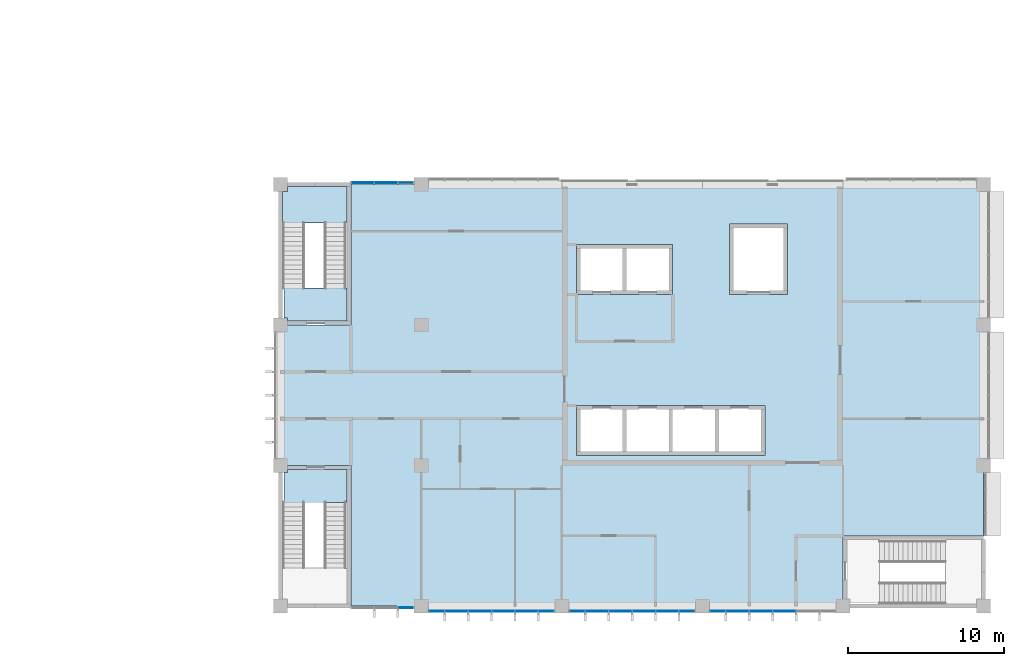
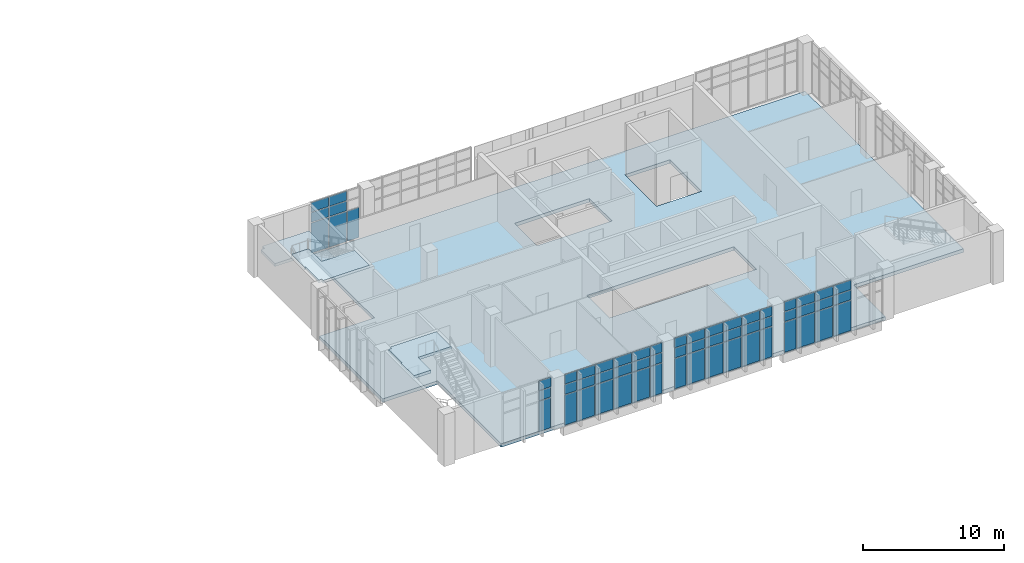
# One storey, part 23 of 45: 58 plates, 4 slabs, 7 elements without a shape of their own.
"""IFC4 building model written with IfcOpenShell, lengths in metres."""

from ifc_helpers import new_model, si_unit, direction, frame, origin, origin_2d, place, context, subcontext, project, spatial, polyline, rectangle, outline, extrude, material, layer, layer_set, type_object, element, aggregate, save


model = new_model("IFC4")

# Units and contexts
model_context = context("Model", 3, precision=1e-05, world=origin(), true_north=direction((0.0, 1.0)))
body_context = subcontext(model_context, "Body", "Model", "MODEL_VIEW")
ifc_project = project(units=[si_unit("LENGTHUNIT", "METRE"), si_unit("AREAUNIT", "SQUARE_METRE"), si_unit("VOLUMEUNIT", "CUBIC_METRE"), si_unit("PLANEANGLEUNIT", "RADIAN"), si_unit("MASSUNIT", "GRAM", prefix="KILO")], contexts=[model_context])

# Site, building, storey
site_placement = place(None, origin())
site = spatial("IfcSite", under=ifc_project, at=site_placement, CompositionType="ELEMENT")
building_placement = place(site_placement, origin())
building = spatial("IfcBuilding", under=site, at=building_placement, Name="Guidao Yard Department Store", CompositionType="ELEMENT")
storey_placement = place(building_placement, frame((0.0, 0.0, 19.5)))
storey = spatial("IfcBuildingStorey", under=building, at=storey_placement, Name="L04", CompositionType="ELEMENT", Elevation=19.5)

# Slab
ifc_material_1 = material(Name="Concrete C35", Category="concrete")
ifc_layer_1 = layer(ifc_material_1, 0.300048828125)
ifc_layer_set_1 = layer_set([ifc_layer_1], Name="Flat slab 300 C35")
slab_type_1 = type_object("IfcSlabType", Name="Flat slab 300 C35", PredefinedType="FLOOR", material=ifc_layer_set_1)
slab_1_placement = place(storey_placement, frame((0.0, 0.0, -0.300048828125)))
element("IfcSlab", 1, at=slab_1_placement, inside=storey, type_object=slab_type_1, Name="Slab L04-O", PredefinedType="FLOOR", context=body_context, shape_type="SweptSolid", body=[
    extrude(outline(polyline([(171.0, 4.5), (162.0, 4.5), (162.0, 0.0), (130.5, 0.0), (130.5, 9.0), (126.0, 9.0), (126.0, 18.0), (130.5, 18.0), (130.5, 27.0), (171.0, 27.0), (171.0, 4.5)]), holes=[polyline([(153.800048828125, 12.85009765625), (151.10009765625, 12.85009765625), (150.85009765625, 12.85009765625), (148.14990234375, 12.85009765625), (147.89990234375, 12.85009765625), (144.949951171875, 12.85009765625), (144.949951171875, 9.64990234375), (147.89990234375, 9.64990234375), (148.14990234375, 9.64990234375), (150.85009765625, 9.64990234375), (151.10009765625, 9.64990234375), (153.800048828125, 9.64990234375), (154.050048828125, 9.64990234375), (157.0, 9.64990234375), (157.0, 12.85009765625), (154.050048828125, 12.85009765625), (153.800048828125, 12.85009765625)]), polyline([(147.89990234375, 19.949951171875), (148.14990234375, 19.949951171875), (151.10009765625, 19.949951171875), (151.10009765625, 23.14990234375), (148.14990234375, 23.14990234375), (147.89990234375, 23.14990234375), (144.949951171875, 23.14990234375), (144.949951171875, 19.949951171875), (147.89990234375, 19.949951171875)]), polyline([(154.75, 19.949951171875), (158.449951171875, 19.949951171875), (158.449951171875, 24.449951171875), (154.75, 24.449951171875), (154.75, 19.949951171875)])]), origin(), (0.0, 0.0, 1.0), 0.300048828125),
])

# Curtain wall, plate
ifc_material_2 = material(Name="Aluminium and glass", Category="aluminium")
ifc_layer_2 = layer(ifc_material_2, 0.159912109375)
ifc_layer_set_2 = layer_set([ifc_layer_2], Name="Unitised curtain wall CW4 1500 module")
curtain_wall_type = type_object("IfcCurtainWallType", Name="Unitised curtain wall CW4 1500 module", PredefinedType="NOTDEFINED", material=ifc_layer_set_2)
curtain_wall_1_placement = place(storey_placement, origin())
curtain_wall_1 = element("IfcCurtainWall", 2, at=curtain_wall_1_placement, inside=storey, type_object=curtain_wall_type, Name="Unitised curtain wall", PredefinedType="NOTDEFINED")
ifc_material_3 = material(Name="Aluminium 6063-T5 faced insulated spandrel", Category="aluminium")
ifc_layer_3 = layer(ifc_material_3, 0.06005859375)
ifc_layer_set_3 = layer_set([ifc_layer_3], Name="Spandrel panel SP1 insulated opaque")
plate_type_1 = type_object("IfcPlateType", Name="Spandrel panel SP1 insulated opaque", PredefinedType="CURTAIN_PANEL", material=ifc_layer_set_3)
plate_1_placement = place(storey_placement, frame((134.010009765625, -0.10009765625, 3.6298828125), z_axis=(0.0, 0.0, 1.0), x_axis=(-1.0, 0.0, 0.0)))
plate_1 = element("IfcPlate", 3, at=plate_1_placement, type_object=plate_type_1, Name="CW-OW-L04-01 panel 3.3", PredefinedType="CURTAIN_PANEL", context=body_context, shape_type="SweptSolid", body=[
    extrude(rectangle(XDim=0.9599609375, YDim=0.06005859375, at=origin_2d()), origin(), (0.0, 0.0, 1.0), 0.81005859375),
])

# Curtain wall, plates
curtain_wall_2_placement = place(storey_placement, origin())
curtain_wall_2 = element("IfcCurtainWall", 4, at=curtain_wall_2_placement, inside=storey, type_object=curtain_wall_type, Name="Unitised curtain wall", PredefinedType="NOTDEFINED")
plate_2_placement = place(storey_placement, frame((135.989990234375, -0.330078125, 3.6298828125), z_axis=(0.0, 0.0, 1.0), x_axis=(-1.0, 0.0, 0.0)))
plate_2 = element("IfcPlate", 5, at=plate_2_placement, type_object=plate_type_1, Name="CW-OW-L04-02 panel 1.3", PredefinedType="CURTAIN_PANEL", context=body_context, shape_type="SweptSolid", body=[
    extrude(rectangle(XDim=0.9599609375, YDim=0.06005859375, at=origin_2d()), origin(), (0.0, 0.0, 1.0), 0.81005859375),
])
plate_3_placement = place(storey_placement, frame((137.25, -0.330078125, 3.6298828125), z_axis=(0.0, 0.0, 1.0), x_axis=(-1.0, 0.0, 0.0)))
plate_3 = element("IfcPlate", 6, at=plate_3_placement, type_object=plate_type_1, Name="CW-OW-L04-02 panel 2.3", PredefinedType="CURTAIN_PANEL", context=body_context, shape_type="SweptSolid", body=[
    extrude(rectangle(XDim=1.43994140625, YDim=0.06005859375, at=origin_2d()), origin(), (0.0, 0.0, 1.0), 0.81005859375),
])
plate_4_placement = place(storey_placement, frame((138.75, -0.330078125, 3.6298828125), z_axis=(0.0, 0.0, 1.0), x_axis=(-1.0, 0.0, 0.0)))
plate_4 = element("IfcPlate", 7, at=plate_4_placement, type_object=plate_type_1, Name="CW-OW-L04-02 panel 3.3", PredefinedType="CURTAIN_PANEL", context=body_context, shape_type="SweptSolid", body=[
    extrude(rectangle(XDim=1.43994140625, YDim=0.06005859375, at=origin_2d()), origin(), (0.0, 0.0, 1.0), 0.81005859375),
])
plate_5_placement = place(storey_placement, frame((140.25, -0.330078125, 3.6298828125), z_axis=(0.0, 0.0, 1.0), x_axis=(-1.0, 0.0, 0.0)))
plate_5 = element("IfcPlate", 8, at=plate_5_placement, type_object=plate_type_1, Name="CW-OW-L04-02 panel 4.3", PredefinedType="CURTAIN_PANEL", context=body_context, shape_type="SweptSolid", body=[
    extrude(rectangle(XDim=1.43994140625, YDim=0.06005859375, at=origin_2d()), origin(), (0.0, 0.0, 1.0), 0.81005859375),
])
plate_6_placement = place(storey_placement, frame((141.75, -0.330078125, 3.6298828125), z_axis=(0.0, 0.0, 1.0), x_axis=(-1.0, 0.0, 0.0)))
plate_6 = element("IfcPlate", 9, at=plate_6_placement, type_object=plate_type_1, Name="CW-OW-L04-02 panel 5.3", PredefinedType="CURTAIN_PANEL", context=body_context, shape_type="SweptSolid", body=[
    extrude(rectangle(XDim=1.43994140625, YDim=0.06005859375, at=origin_2d()), origin(), (0.0, 0.0, 1.0), 0.81005859375),
])
plate_7_placement = place(storey_placement, frame((143.010009765625, -0.330078125, 3.6298828125), z_axis=(0.0, 0.0, 1.0), x_axis=(-1.0, 0.0, 0.0)))
plate_7 = element("IfcPlate", 10, at=plate_7_placement, type_object=plate_type_1, Name="CW-OW-L04-02 panel 6.3", PredefinedType="CURTAIN_PANEL", context=body_context, shape_type="SweptSolid", body=[
    extrude(rectangle(XDim=0.9599609375, YDim=0.06005859375, at=origin_2d()), origin(), (0.0, 0.0, 1.0), 0.81005859375),
])

curtain_wall_3_placement = place(storey_placement, origin())
curtain_wall_3 = element("IfcCurtainWall", 11, at=curtain_wall_3_placement, inside=storey, type_object=curtain_wall_type, Name="Unitised curtain wall", PredefinedType="NOTDEFINED")
plate_8_placement = place(storey_placement, frame((144.989990234375, -0.330078125, 3.6298828125), z_axis=(0.0, 0.0, 1.0), x_axis=(-1.0, 0.0, 0.0)))
plate_8 = element("IfcPlate", 12, at=plate_8_placement, type_object=plate_type_1, Name="CW-OW-L04-03 panel 1.3", PredefinedType="CURTAIN_PANEL", context=body_context, shape_type="SweptSolid", body=[
    extrude(rectangle(XDim=0.9599609375, YDim=0.06005859375, at=origin_2d()), origin(), (0.0, 0.0, 1.0), 0.81005859375),
])
plate_9_placement = place(storey_placement, frame((146.25, -0.330078125, 3.6298828125), z_axis=(0.0, 0.0, 1.0), x_axis=(-1.0, 0.0, 0.0)))
plate_9 = element("IfcPlate", 13, at=plate_9_placement, type_object=plate_type_1, Name="CW-OW-L04-03 panel 2.3", PredefinedType="CURTAIN_PANEL", context=body_context, shape_type="SweptSolid", body=[
    extrude(rectangle(XDim=1.43994140625, YDim=0.06005859375, at=origin_2d()), origin(), (0.0, 0.0, 1.0), 0.81005859375),
])
plate_10_placement = place(storey_placement, frame((147.75, -0.330078125, 3.6298828125), z_axis=(0.0, 0.0, 1.0), x_axis=(-1.0, 0.0, 0.0)))
plate_10 = element("IfcPlate", 14, at=plate_10_placement, type_object=plate_type_1, Name="CW-OW-L04-03 panel 3.3", PredefinedType="CURTAIN_PANEL", context=body_context, shape_type="SweptSolid", body=[
    extrude(rectangle(XDim=1.43994140625, YDim=0.06005859375, at=origin_2d()), origin(), (0.0, 0.0, 1.0), 0.81005859375),
])
plate_11_placement = place(storey_placement, frame((149.25, -0.330078125, 3.6298828125), z_axis=(0.0, 0.0, 1.0), x_axis=(-1.0, 0.0, 0.0)))
plate_11 = element("IfcPlate", 15, at=plate_11_placement, type_object=plate_type_1, Name="CW-OW-L04-03 panel 4.3", PredefinedType="CURTAIN_PANEL", context=body_context, shape_type="SweptSolid", body=[
    extrude(rectangle(XDim=1.43994140625, YDim=0.06005859375, at=origin_2d()), origin(), (0.0, 0.0, 1.0), 0.81005859375),
])
plate_12_placement = place(storey_placement, frame((150.75, -0.330078125, 3.6298828125), z_axis=(0.0, 0.0, 1.0), x_axis=(-1.0, 0.0, 0.0)))
plate_12 = element("IfcPlate", 16, at=plate_12_placement, type_object=plate_type_1, Name="CW-OW-L04-03 panel 5.3", PredefinedType="CURTAIN_PANEL", context=body_context, shape_type="SweptSolid", body=[
    extrude(rectangle(XDim=1.43994140625, YDim=0.06005859375, at=origin_2d()), origin(), (0.0, 0.0, 1.0), 0.81005859375),
])
plate_13_placement = place(storey_placement, frame((152.010009765625, -0.330078125, 3.6298828125), z_axis=(0.0, 0.0, 1.0), x_axis=(-1.0, 0.0, 0.0)))
plate_13 = element("IfcPlate", 17, at=plate_13_placement, type_object=plate_type_1, Name="CW-OW-L04-03 panel 6.3", PredefinedType="CURTAIN_PANEL", context=body_context, shape_type="SweptSolid", body=[
    extrude(rectangle(XDim=0.9599609375, YDim=0.06005859375, at=origin_2d()), origin(), (0.0, 0.0, 1.0), 0.81005859375),
])

curtain_wall_4_placement = place(storey_placement, origin())
curtain_wall_4 = element("IfcCurtainWall", 18, at=curtain_wall_4_placement, inside=storey, type_object=curtain_wall_type, Name="Unitised curtain wall", PredefinedType="NOTDEFINED")
plate_14_placement = place(storey_placement, frame((153.989990234375, -0.330078125, 3.6298828125), z_axis=(0.0, 0.0, 1.0), x_axis=(-1.0, 0.0, 0.0)))
plate_14 = element("IfcPlate", 19, at=plate_14_placement, type_object=plate_type_1, Name="CW-OW-L04-04 panel 1.3", PredefinedType="CURTAIN_PANEL", context=body_context, shape_type="SweptSolid", body=[
    extrude(rectangle(XDim=0.9599609375, YDim=0.06005859375, at=origin_2d()), origin(), (0.0, 0.0, 1.0), 0.81005859375),
])
plate_15_placement = place(storey_placement, frame((155.25, -0.330078125, 3.6298828125), z_axis=(0.0, 0.0, 1.0), x_axis=(-1.0, 0.0, 0.0)))
plate_15 = element("IfcPlate", 20, at=plate_15_placement, type_object=plate_type_1, Name="CW-OW-L04-04 panel 2.3", PredefinedType="CURTAIN_PANEL", context=body_context, shape_type="SweptSolid", body=[
    extrude(rectangle(XDim=1.43994140625, YDim=0.06005859375, at=origin_2d()), origin(), (0.0, 0.0, 1.0), 0.81005859375),
])
plate_16_placement = place(storey_placement, frame((156.75, -0.330078125, 3.6298828125), z_axis=(0.0, 0.0, 1.0), x_axis=(-1.0, 0.0, 0.0)))
plate_16 = element("IfcPlate", 21, at=plate_16_placement, type_object=plate_type_1, Name="CW-OW-L04-04 panel 3.3", PredefinedType="CURTAIN_PANEL", context=body_context, shape_type="SweptSolid", body=[
    extrude(rectangle(XDim=1.43994140625, YDim=0.06005859375, at=origin_2d()), origin(), (0.0, 0.0, 1.0), 0.81005859375),
])
plate_17_placement = place(storey_placement, frame((158.25, -0.330078125, 3.6298828125), z_axis=(0.0, 0.0, 1.0), x_axis=(-1.0, 0.0, 0.0)))
plate_17 = element("IfcPlate", 22, at=plate_17_placement, type_object=plate_type_1, Name="CW-OW-L04-04 panel 4.3", PredefinedType="CURTAIN_PANEL", context=body_context, shape_type="SweptSolid", body=[
    extrude(rectangle(XDim=1.43994140625, YDim=0.06005859375, at=origin_2d()), origin(), (0.0, 0.0, 1.0), 0.81005859375),
])

curtain_wall_5_placement = place(storey_placement, origin())
curtain_wall_5 = element("IfcCurtainWall", 23, at=curtain_wall_5_placement, inside=storey, type_object=curtain_wall_type, Name="Unitised curtain wall", PredefinedType="NOTDEFINED")
plate_18_placement = place(storey_placement, frame((131.264892578125, 27.10009765625, 3.6298828125), z_axis=(0.0, 0.0, 1.0), x_axis=(1.0, 0.0, 0.0)))
plate_18 = element("IfcPlate", 24, at=plate_18_placement, type_object=plate_type_1, Name="CW-OW-L04-06 panel 1.3", PredefinedType="CURTAIN_PANEL", context=body_context, shape_type="SweptSolid", body=[
    extrude(rectangle(XDim=1.409912109375, YDim=0.06005859375, at=origin_2d()), origin(), (0.0, 0.0, 1.0), 0.81005859375),
])
plate_19_placement = place(storey_placement, frame((132.75, 27.10009765625, 3.6298828125), z_axis=(0.0, 0.0, 1.0), x_axis=(1.0, 0.0, 0.0)))
plate_19 = element("IfcPlate", 25, at=plate_19_placement, type_object=plate_type_1, Name="CW-OW-L04-06 panel 2.3", PredefinedType="CURTAIN_PANEL", context=body_context, shape_type="SweptSolid", body=[
    extrude(rectangle(XDim=1.43994140625, YDim=0.06005859375, at=origin_2d()), origin(), (0.0, 0.0, 1.0), 0.81005859375),
])

# Stair, slab
ifc_material_4 = material(Name="Concrete C35", Category="concrete")
stair_type = type_object("IfcStairType", Name="Stair half-turn two-flight 1400 wide 4.5 m rise", PredefinedType="HALF_TURN_STAIR", material=ifc_material_4)
stair_1_placement = place(storey_placement, origin())
stair_1 = element("IfcStair", 26, at=stair_1_placement, inside=storey, type_object=stair_type, Name="Stair O1 L04 to L05", PredefinedType="HALF_TURN_STAIR")
ifc_material_5 = material(Name="Concrete C35", Category="concrete")
ifc_layer_4 = layer(ifc_material_5, 0.25)
ifc_layer_set_4 = layer_set([ifc_layer_4], Name="Stair landing RC 250 C35")
slab_type_2 = type_object("IfcSlabType", Name="Stair landing RC 250 C35", PredefinedType="LANDING", material=ifc_layer_set_4)
slab_2_placement = place(storey_placement, frame((0.0, 0.0, 4.25)))
slab_2 = element("IfcSlab", 27, at=slab_2_placement, type_object=slab_type_2, Name="SO1-L04 landing 2", PredefinedType="LANDING", context=body_context, shape_type="SweptSolid", body=[
    extrude(outline(polyline([(126.125, 6.64990234375), (126.199951171875, 6.64990234375), (126.199951171875, 8.550048828125), (126.449951171875, 8.550048828125), (126.449951171875, 8.75), (128.800048828125, 8.75), (130.25, 8.75), (130.25, 6.639892578125), (128.800048828125, 6.639892578125), (128.800048828125, 6.64990234375), (127.52490234375, 6.64990234375), (127.52490234375, 4.820068359375), (126.125, 4.820068359375), (126.125, 6.64990234375)])), origin(), (0.0, 0.0, 1.0), 0.25),
])
aggregate(stair_1, [slab_2])

# Stair, slabs
stair_2_placement = place(storey_placement, origin())
stair_2 = element("IfcStair", 28, at=stair_2_placement, inside=storey, type_object=stair_type, Name="Stair O3 L04 to L05", PredefinedType="HALF_TURN_STAIR")
slab_3_placement = place(storey_placement, frame((0.0, 0.0, 2.0)))
slab_3 = element("IfcSlab", 29, at=slab_3_placement, type_object=slab_type_2, Name="SO3-L04 landing 1", PredefinedType="LANDING", context=body_context, shape_type="SweptSolid", body=[
    extrude(outline(polyline([(128.800048828125, 24.550048828125), (127.52490234375, 24.550048828125), (127.52490234375, 24.5400390625), (126.125, 24.5400390625), (126.125, 24.550048828125), (126.125, 26.550048828125), (126.449951171875, 26.550048828125), (126.449951171875, 26.875), (130.25, 26.875), (130.25, 24.550048828125), (130.199951171875, 24.550048828125), (130.199951171875, 22.719970703125), (128.800048828125, 22.719970703125), (128.800048828125, 24.550048828125)])), origin(), (0.0, 0.0, 1.0), 0.25),
])
slab_4_placement = place(storey_placement, frame((0.0, 0.0, 4.25)))
slab_4 = element("IfcSlab", 30, at=slab_4_placement, type_object=slab_type_2, Name="SO3-L04 landing 2", PredefinedType="LANDING", context=body_context, shape_type="SweptSolid", body=[
    extrude(outline(polyline([(130.25, 20.360107421875), (130.25, 18.25), (128.800048828125, 18.25), (126.449951171875, 18.25), (126.449951171875, 18.449951171875), (126.199951171875, 18.449951171875), (126.199951171875, 20.35009765625), (126.125, 20.35009765625), (126.125, 22.179931640625), (127.52490234375, 22.179931640625), (127.52490234375, 20.35009765625), (128.800048828125, 20.35009765625), (128.800048828125, 20.360107421875), (130.25, 20.360107421875)])), origin(), (0.0, 0.0, 1.0), 0.25),
])
aggregate(stair_2, [slab_3, slab_4])

# Plate
ifc_material_6 = material(Name="Laminated heat-soaked tempered glass", Category="glass")
ifc_layer_5 = layer(ifc_material_6, 0.017578125)
ifc_layer_set_5 = layer_set([ifc_layer_5], Name="Vision glass VG1 laminated heat-soaked tempered 8+8")
plate_type_2 = type_object("IfcPlateType", Name="Vision glass VG1 laminated heat-soaked tempered 8+8", PredefinedType="CURTAIN_PANEL", material=ifc_layer_set_5)
plate_20_placement = place(storey_placement, frame((134.010009765625, -0.10009765625, 0.06005859375), z_axis=(0.0, 0.0, 1.0), x_axis=(-1.0, 0.0, 0.0)))
plate_20 = element("IfcPlate", 31, at=plate_20_placement, type_object=plate_type_2, Name="CW-OW-L04-01 panel 3.1", PredefinedType="CURTAIN_PANEL", context=body_context, shape_type="SweptSolid", body=[
    extrude(rectangle(XDim=0.9599609375, YDim=0.017578125, at=origin_2d()), origin(), (0.0, 0.0, 1.0), 2.610107421875),
])

plate_21_placement = place(storey_placement, frame((134.010009765625, -0.10009765625, 2.72998046875), z_axis=(0.0, 0.0, 1.0), x_axis=(-1.0, 0.0, 0.0)))
plate_21 = element("IfcPlate", 32, at=plate_21_placement, type_object=plate_type_2, Name="CW-OW-L04-01 panel 3.2", PredefinedType="CURTAIN_PANEL", context=body_context, shape_type="SweptSolid", body=[
    extrude(rectangle(XDim=0.9599609375, YDim=0.017578125, at=origin_2d()), origin(), (0.0, 0.0, 1.0), 0.840087890625),
])

aggregate(curtain_wall_1, [plate_20, plate_21, plate_1])

plate_22_placement = place(storey_placement, frame((135.989990234375, -0.330078125, 0.06005859375), z_axis=(0.0, 0.0, 1.0), x_axis=(-1.0, 0.0, 0.0)))
plate_22 = element("IfcPlate", 33, at=plate_22_placement, type_object=plate_type_2, Name="CW-OW-L04-02 panel 1.1", PredefinedType="CURTAIN_PANEL", context=body_context, shape_type="SweptSolid", body=[
    extrude(rectangle(XDim=0.9599609375, YDim=0.017578125, at=origin_2d()), origin(), (0.0, 0.0, 1.0), 2.610107421875),
])

plate_23_placement = place(storey_placement, frame((135.989990234375, -0.330078125, 2.72998046875), z_axis=(0.0, 0.0, 1.0), x_axis=(-1.0, 0.0, 0.0)))
plate_23 = element("IfcPlate", 34, at=plate_23_placement, type_object=plate_type_2, Name="CW-OW-L04-02 panel 1.2", PredefinedType="CURTAIN_PANEL", context=body_context, shape_type="SweptSolid", body=[
    extrude(rectangle(XDim=0.9599609375, YDim=0.017578125, at=origin_2d()), origin(), (0.0, 0.0, 1.0), 0.840087890625),
])

plate_24_placement = place(storey_placement, frame((137.25, -0.330078125, 0.06005859375), z_axis=(0.0, 0.0, 1.0), x_axis=(-1.0, 0.0, 0.0)))
plate_24 = element("IfcPlate", 35, at=plate_24_placement, type_object=plate_type_2, Name="CW-OW-L04-02 panel 2.1", PredefinedType="CURTAIN_PANEL", context=body_context, shape_type="SweptSolid", body=[
    extrude(rectangle(XDim=1.43994140625, YDim=0.017578125, at=origin_2d()), origin(), (0.0, 0.0, 1.0), 2.610107421875),
])

plate_25_placement = place(storey_placement, frame((137.25, -0.330078125, 2.72998046875), z_axis=(0.0, 0.0, 1.0), x_axis=(-1.0, 0.0, 0.0)))
plate_25 = element("IfcPlate", 36, at=plate_25_placement, type_object=plate_type_2, Name="CW-OW-L04-02 panel 2.2", PredefinedType="CURTAIN_PANEL", context=body_context, shape_type="SweptSolid", body=[
    extrude(rectangle(XDim=1.43994140625, YDim=0.017578125, at=origin_2d()), origin(), (0.0, 0.0, 1.0), 0.840087890625),
])

plate_26_placement = place(storey_placement, frame((138.75, -0.330078125, 0.06005859375), z_axis=(0.0, 0.0, 1.0), x_axis=(-1.0, 0.0, 0.0)))
plate_26 = element("IfcPlate", 37, at=plate_26_placement, type_object=plate_type_2, Name="CW-OW-L04-02 panel 3.1", PredefinedType="CURTAIN_PANEL", context=body_context, shape_type="SweptSolid", body=[
    extrude(rectangle(XDim=1.43994140625, YDim=0.017578125, at=origin_2d()), origin(), (0.0, 0.0, 1.0), 2.610107421875),
])

plate_27_placement = place(storey_placement, frame((138.75, -0.330078125, 2.72998046875), z_axis=(0.0, 0.0, 1.0), x_axis=(-1.0, 0.0, 0.0)))
plate_27 = element("IfcPlate", 38, at=plate_27_placement, type_object=plate_type_2, Name="CW-OW-L04-02 panel 3.2", PredefinedType="CURTAIN_PANEL", context=body_context, shape_type="SweptSolid", body=[
    extrude(rectangle(XDim=1.43994140625, YDim=0.017578125, at=origin_2d()), origin(), (0.0, 0.0, 1.0), 0.840087890625),
])

plate_28_placement = place(storey_placement, frame((140.25, -0.330078125, 0.06005859375), z_axis=(0.0, 0.0, 1.0), x_axis=(-1.0, 0.0, 0.0)))
plate_28 = element("IfcPlate", 39, at=plate_28_placement, type_object=plate_type_2, Name="CW-OW-L04-02 panel 4.1", PredefinedType="CURTAIN_PANEL", context=body_context, shape_type="SweptSolid", body=[
    extrude(rectangle(XDim=1.43994140625, YDim=0.017578125, at=origin_2d()), origin(), (0.0, 0.0, 1.0), 2.610107421875),
])

plate_29_placement = place(storey_placement, frame((140.25, -0.330078125, 2.72998046875), z_axis=(0.0, 0.0, 1.0), x_axis=(-1.0, 0.0, 0.0)))
plate_29 = element("IfcPlate", 40, at=plate_29_placement, type_object=plate_type_2, Name="CW-OW-L04-02 panel 4.2", PredefinedType="CURTAIN_PANEL", context=body_context, shape_type="SweptSolid", body=[
    extrude(rectangle(XDim=1.43994140625, YDim=0.017578125, at=origin_2d()), origin(), (0.0, 0.0, 1.0), 0.840087890625),
])

plate_30_placement = place(storey_placement, frame((141.75, -0.330078125, 0.06005859375), z_axis=(0.0, 0.0, 1.0), x_axis=(-1.0, 0.0, 0.0)))
plate_30 = element("IfcPlate", 41, at=plate_30_placement, type_object=plate_type_2, Name="CW-OW-L04-02 panel 5.1", PredefinedType="CURTAIN_PANEL", context=body_context, shape_type="SweptSolid", body=[
    extrude(rectangle(XDim=1.43994140625, YDim=0.017578125, at=origin_2d()), origin(), (0.0, 0.0, 1.0), 2.610107421875),
])

plate_31_placement = place(storey_placement, frame((141.75, -0.330078125, 2.72998046875), z_axis=(0.0, 0.0, 1.0), x_axis=(-1.0, 0.0, 0.0)))
plate_31 = element("IfcPlate", 42, at=plate_31_placement, type_object=plate_type_2, Name="CW-OW-L04-02 panel 5.2", PredefinedType="CURTAIN_PANEL", context=body_context, shape_type="SweptSolid", body=[
    extrude(rectangle(XDim=1.43994140625, YDim=0.017578125, at=origin_2d()), origin(), (0.0, 0.0, 1.0), 0.840087890625),
])

plate_32_placement = place(storey_placement, frame((143.010009765625, -0.330078125, 0.06005859375), z_axis=(0.0, 0.0, 1.0), x_axis=(-1.0, 0.0, 0.0)))
plate_32 = element("IfcPlate", 43, at=plate_32_placement, type_object=plate_type_2, Name="CW-OW-L04-02 panel 6.1", PredefinedType="CURTAIN_PANEL", context=body_context, shape_type="SweptSolid", body=[
    extrude(rectangle(XDim=0.9599609375, YDim=0.017578125, at=origin_2d()), origin(), (0.0, 0.0, 1.0), 2.610107421875),
])

plate_33_placement = place(storey_placement, frame((143.010009765625, -0.330078125, 2.72998046875), z_axis=(0.0, 0.0, 1.0), x_axis=(-1.0, 0.0, 0.0)))
plate_33 = element("IfcPlate", 44, at=plate_33_placement, type_object=plate_type_2, Name="CW-OW-L04-02 panel 6.2", PredefinedType="CURTAIN_PANEL", context=body_context, shape_type="SweptSolid", body=[
    extrude(rectangle(XDim=0.9599609375, YDim=0.017578125, at=origin_2d()), origin(), (0.0, 0.0, 1.0), 0.840087890625),
])

aggregate(curtain_wall_2, [plate_22, plate_23, plate_2, plate_24, plate_25, plate_3, plate_26, plate_27, plate_4, plate_28, plate_29, plate_5, plate_30, plate_31, plate_6, plate_32, plate_33, plate_7])

plate_34_placement = place(storey_placement, frame((144.989990234375, -0.330078125, 0.06005859375), z_axis=(0.0, 0.0, 1.0), x_axis=(-1.0, 0.0, 0.0)))
plate_34 = element("IfcPlate", 45, at=plate_34_placement, type_object=plate_type_2, Name="CW-OW-L04-03 panel 1.1", PredefinedType="CURTAIN_PANEL", context=body_context, shape_type="SweptSolid", body=[
    extrude(rectangle(XDim=0.9599609375, YDim=0.017578125, at=origin_2d()), origin(), (0.0, 0.0, 1.0), 2.610107421875),
])

plate_35_placement = place(storey_placement, frame((144.989990234375, -0.330078125, 2.72998046875), z_axis=(0.0, 0.0, 1.0), x_axis=(-1.0, 0.0, 0.0)))
plate_35 = element("IfcPlate", 46, at=plate_35_placement, type_object=plate_type_2, Name="CW-OW-L04-03 panel 1.2", PredefinedType="CURTAIN_PANEL", context=body_context, shape_type="SweptSolid", body=[
    extrude(rectangle(XDim=0.9599609375, YDim=0.017578125, at=origin_2d()), origin(), (0.0, 0.0, 1.0), 0.840087890625),
])

plate_36_placement = place(storey_placement, frame((146.25, -0.330078125, 0.06005859375), z_axis=(0.0, 0.0, 1.0), x_axis=(-1.0, 0.0, 0.0)))
plate_36 = element("IfcPlate", 47, at=plate_36_placement, type_object=plate_type_2, Name="CW-OW-L04-03 panel 2.1", PredefinedType="CURTAIN_PANEL", context=body_context, shape_type="SweptSolid", body=[
    extrude(rectangle(XDim=1.43994140625, YDim=0.017578125, at=origin_2d()), origin(), (0.0, 0.0, 1.0), 2.610107421875),
])

plate_37_placement = place(storey_placement, frame((146.25, -0.330078125, 2.72998046875), z_axis=(0.0, 0.0, 1.0), x_axis=(-1.0, 0.0, 0.0)))
plate_37 = element("IfcPlate", 48, at=plate_37_placement, type_object=plate_type_2, Name="CW-OW-L04-03 panel 2.2", PredefinedType="CURTAIN_PANEL", context=body_context, shape_type="SweptSolid", body=[
    extrude(rectangle(XDim=1.43994140625, YDim=0.017578125, at=origin_2d()), origin(), (0.0, 0.0, 1.0), 0.840087890625),
])

plate_38_placement = place(storey_placement, frame((147.75, -0.330078125, 0.06005859375), z_axis=(0.0, 0.0, 1.0), x_axis=(-1.0, 0.0, 0.0)))
plate_38 = element("IfcPlate", 49, at=plate_38_placement, type_object=plate_type_2, Name="CW-OW-L04-03 panel 3.1", PredefinedType="CURTAIN_PANEL", context=body_context, shape_type="SweptSolid", body=[
    extrude(rectangle(XDim=1.43994140625, YDim=0.017578125, at=origin_2d()), origin(), (0.0, 0.0, 1.0), 2.610107421875),
])

plate_39_placement = place(storey_placement, frame((147.75, -0.330078125, 2.72998046875), z_axis=(0.0, 0.0, 1.0), x_axis=(-1.0, 0.0, 0.0)))
plate_39 = element("IfcPlate", 50, at=plate_39_placement, type_object=plate_type_2, Name="CW-OW-L04-03 panel 3.2", PredefinedType="CURTAIN_PANEL", context=body_context, shape_type="SweptSolid", body=[
    extrude(rectangle(XDim=1.43994140625, YDim=0.017578125, at=origin_2d()), origin(), (0.0, 0.0, 1.0), 0.840087890625),
])

plate_40_placement = place(storey_placement, frame((149.25, -0.330078125, 0.06005859375), z_axis=(0.0, 0.0, 1.0), x_axis=(-1.0, 0.0, 0.0)))
plate_40 = element("IfcPlate", 51, at=plate_40_placement, type_object=plate_type_2, Name="CW-OW-L04-03 panel 4.1", PredefinedType="CURTAIN_PANEL", context=body_context, shape_type="SweptSolid", body=[
    extrude(rectangle(XDim=1.43994140625, YDim=0.017578125, at=origin_2d()), origin(), (0.0, 0.0, 1.0), 2.610107421875),
])

plate_41_placement = place(storey_placement, frame((149.25, -0.330078125, 2.72998046875), z_axis=(0.0, 0.0, 1.0), x_axis=(-1.0, 0.0, 0.0)))
plate_41 = element("IfcPlate", 52, at=plate_41_placement, type_object=plate_type_2, Name="CW-OW-L04-03 panel 4.2", PredefinedType="CURTAIN_PANEL", context=body_context, shape_type="SweptSolid", body=[
    extrude(rectangle(XDim=1.43994140625, YDim=0.017578125, at=origin_2d()), origin(), (0.0, 0.0, 1.0), 0.840087890625),
])

plate_42_placement = place(storey_placement, frame((150.75, -0.330078125, 0.06005859375), z_axis=(0.0, 0.0, 1.0), x_axis=(-1.0, 0.0, 0.0)))
plate_42 = element("IfcPlate", 53, at=plate_42_placement, type_object=plate_type_2, Name="CW-OW-L04-03 panel 5.1", PredefinedType="CURTAIN_PANEL", context=body_context, shape_type="SweptSolid", body=[
    extrude(rectangle(XDim=1.43994140625, YDim=0.017578125, at=origin_2d()), origin(), (0.0, 0.0, 1.0), 2.610107421875),
])

plate_43_placement = place(storey_placement, frame((150.75, -0.330078125, 2.72998046875), z_axis=(0.0, 0.0, 1.0), x_axis=(-1.0, 0.0, 0.0)))
plate_43 = element("IfcPlate", 54, at=plate_43_placement, type_object=plate_type_2, Name="CW-OW-L04-03 panel 5.2", PredefinedType="CURTAIN_PANEL", context=body_context, shape_type="SweptSolid", body=[
    extrude(rectangle(XDim=1.43994140625, YDim=0.017578125, at=origin_2d()), origin(), (0.0, 0.0, 1.0), 0.840087890625),
])

plate_44_placement = place(storey_placement, frame((152.010009765625, -0.330078125, 0.06005859375), z_axis=(0.0, 0.0, 1.0), x_axis=(-1.0, 0.0, 0.0)))
plate_44 = element("IfcPlate", 55, at=plate_44_placement, type_object=plate_type_2, Name="CW-OW-L04-03 panel 6.1", PredefinedType="CURTAIN_PANEL", context=body_context, shape_type="SweptSolid", body=[
    extrude(rectangle(XDim=0.9599609375, YDim=0.017578125, at=origin_2d()), origin(), (0.0, 0.0, 1.0), 2.610107421875),
])

plate_45_placement = place(storey_placement, frame((152.010009765625, -0.330078125, 2.72998046875), z_axis=(0.0, 0.0, 1.0), x_axis=(-1.0, 0.0, 0.0)))
plate_45 = element("IfcPlate", 56, at=plate_45_placement, type_object=plate_type_2, Name="CW-OW-L04-03 panel 6.2", PredefinedType="CURTAIN_PANEL", context=body_context, shape_type="SweptSolid", body=[
    extrude(rectangle(XDim=0.9599609375, YDim=0.017578125, at=origin_2d()), origin(), (0.0, 0.0, 1.0), 0.840087890625),
])

aggregate(curtain_wall_3, [plate_34, plate_35, plate_8, plate_36, plate_37, plate_9, plate_38, plate_39, plate_10, plate_40, plate_41, plate_11, plate_42, plate_43, plate_12, plate_44, plate_45, plate_13])

plate_46_placement = place(storey_placement, frame((153.989990234375, -0.330078125, 0.06005859375), z_axis=(0.0, 0.0, 1.0), x_axis=(-1.0, 0.0, 0.0)))
plate_46 = element("IfcPlate", 57, at=plate_46_placement, type_object=plate_type_2, Name="CW-OW-L04-04 panel 1.1", PredefinedType="CURTAIN_PANEL", context=body_context, shape_type="SweptSolid", body=[
    extrude(rectangle(XDim=0.9599609375, YDim=0.017578125, at=origin_2d()), origin(), (0.0, 0.0, 1.0), 2.610107421875),
])

plate_47_placement = place(storey_placement, frame((153.989990234375, -0.330078125, 2.72998046875), z_axis=(0.0, 0.0, 1.0), x_axis=(-1.0, 0.0, 0.0)))
plate_47 = element("IfcPlate", 58, at=plate_47_placement, type_object=plate_type_2, Name="CW-OW-L04-04 panel 1.2", PredefinedType="CURTAIN_PANEL", context=body_context, shape_type="SweptSolid", body=[
    extrude(rectangle(XDim=0.9599609375, YDim=0.017578125, at=origin_2d()), origin(), (0.0, 0.0, 1.0), 0.840087890625),
])

plate_48_placement = place(storey_placement, frame((155.25, -0.330078125, 0.06005859375), z_axis=(0.0, 0.0, 1.0), x_axis=(-1.0, 0.0, 0.0)))
plate_48 = element("IfcPlate", 59, at=plate_48_placement, type_object=plate_type_2, Name="CW-OW-L04-04 panel 2.1", PredefinedType="CURTAIN_PANEL", context=body_context, shape_type="SweptSolid", body=[
    extrude(rectangle(XDim=1.43994140625, YDim=0.017578125, at=origin_2d()), origin(), (0.0, 0.0, 1.0), 2.610107421875),
])

plate_49_placement = place(storey_placement, frame((155.25, -0.330078125, 2.72998046875), z_axis=(0.0, 0.0, 1.0), x_axis=(-1.0, 0.0, 0.0)))
plate_49 = element("IfcPlate", 60, at=plate_49_placement, type_object=plate_type_2, Name="CW-OW-L04-04 panel 2.2", PredefinedType="CURTAIN_PANEL", context=body_context, shape_type="SweptSolid", body=[
    extrude(rectangle(XDim=1.43994140625, YDim=0.017578125, at=origin_2d()), origin(), (0.0, 0.0, 1.0), 0.840087890625),
])

plate_50_placement = place(storey_placement, frame((156.75, -0.330078125, 0.06005859375), z_axis=(0.0, 0.0, 1.0), x_axis=(-1.0, 0.0, 0.0)))
plate_50 = element("IfcPlate", 61, at=plate_50_placement, type_object=plate_type_2, Name="CW-OW-L04-04 panel 3.1", PredefinedType="CURTAIN_PANEL", context=body_context, shape_type="SweptSolid", body=[
    extrude(rectangle(XDim=1.43994140625, YDim=0.017578125, at=origin_2d()), origin(), (0.0, 0.0, 1.0), 2.610107421875),
])

plate_51_placement = place(storey_placement, frame((156.75, -0.330078125, 2.72998046875), z_axis=(0.0, 0.0, 1.0), x_axis=(-1.0, 0.0, 0.0)))
plate_51 = element("IfcPlate", 62, at=plate_51_placement, type_object=plate_type_2, Name="CW-OW-L04-04 panel 3.2", PredefinedType="CURTAIN_PANEL", context=body_context, shape_type="SweptSolid", body=[
    extrude(rectangle(XDim=1.43994140625, YDim=0.017578125, at=origin_2d()), origin(), (0.0, 0.0, 1.0), 0.840087890625),
])

plate_52_placement = place(storey_placement, frame((158.25, -0.330078125, 0.06005859375), z_axis=(0.0, 0.0, 1.0), x_axis=(-1.0, 0.0, 0.0)))
plate_52 = element("IfcPlate", 63, at=plate_52_placement, type_object=plate_type_2, Name="CW-OW-L04-04 panel 4.1", PredefinedType="CURTAIN_PANEL", context=body_context, shape_type="SweptSolid", body=[
    extrude(rectangle(XDim=1.43994140625, YDim=0.017578125, at=origin_2d()), origin(), (0.0, 0.0, 1.0), 2.610107421875),
])

plate_53_placement = place(storey_placement, frame((158.25, -0.330078125, 2.72998046875), z_axis=(0.0, 0.0, 1.0), x_axis=(-1.0, 0.0, 0.0)))
plate_53 = element("IfcPlate", 64, at=plate_53_placement, type_object=plate_type_2, Name="CW-OW-L04-04 panel 4.2", PredefinedType="CURTAIN_PANEL", context=body_context, shape_type="SweptSolid", body=[
    extrude(rectangle(XDim=1.43994140625, YDim=0.017578125, at=origin_2d()), origin(), (0.0, 0.0, 1.0), 0.840087890625),
])

aggregate(curtain_wall_4, [plate_46, plate_47, plate_14, plate_48, plate_49, plate_15, plate_50, plate_51, plate_16, plate_52, plate_53, plate_17])

plate_54_placement = place(storey_placement, frame((131.264892578125, 27.10009765625, 0.06005859375), z_axis=(0.0, 0.0, 1.0), x_axis=(1.0, 0.0, 0.0)))
plate_54 = element("IfcPlate", 65, at=plate_54_placement, type_object=plate_type_2, Name="CW-OW-L04-06 panel 1.1", PredefinedType="CURTAIN_PANEL", context=body_context, shape_type="SweptSolid", body=[
    extrude(rectangle(XDim=1.409912109375, YDim=0.017578125, at=origin_2d()), origin(), (0.0, 0.0, 1.0), 2.610107421875),
])

plate_55_placement = place(storey_placement, frame((131.264892578125, 27.10009765625, 2.72998046875), z_axis=(0.0, 0.0, 1.0), x_axis=(1.0, 0.0, 0.0)))
plate_55 = element("IfcPlate", 66, at=plate_55_placement, type_object=plate_type_2, Name="CW-OW-L04-06 panel 1.2", PredefinedType="CURTAIN_PANEL", context=body_context, shape_type="SweptSolid", body=[
    extrude(rectangle(XDim=1.409912109375, YDim=0.017578125, at=origin_2d()), origin(), (0.0, 0.0, 1.0), 0.840087890625),
])

plate_56_placement = place(storey_placement, frame((132.75, 27.10009765625, 0.06005859375), z_axis=(0.0, 0.0, 1.0), x_axis=(1.0, 0.0, 0.0)))
plate_56 = element("IfcPlate", 67, at=plate_56_placement, type_object=plate_type_2, Name="CW-OW-L04-06 panel 2.1", PredefinedType="CURTAIN_PANEL", context=body_context, shape_type="SweptSolid", body=[
    extrude(rectangle(XDim=1.43994140625, YDim=0.017578125, at=origin_2d()), origin(), (0.0, 0.0, 1.0), 2.610107421875),
])

plate_57_placement = place(storey_placement, frame((132.75, 27.10009765625, 2.72998046875), z_axis=(0.0, 0.0, 1.0), x_axis=(1.0, 0.0, 0.0)))
plate_57 = element("IfcPlate", 68, at=plate_57_placement, type_object=plate_type_2, Name="CW-OW-L04-06 panel 2.2", PredefinedType="CURTAIN_PANEL", context=body_context, shape_type="SweptSolid", body=[
    extrude(rectangle(XDim=1.43994140625, YDim=0.017578125, at=origin_2d()), origin(), (0.0, 0.0, 1.0), 0.840087890625),
])

plate_58_placement = place(storey_placement, frame((134.010009765625, 27.10009765625, 0.06005859375), z_axis=(0.0, 0.0, 1.0), x_axis=(1.0, 0.0, 0.0)))
plate_58 = element("IfcPlate", 69, at=plate_58_placement, type_object=plate_type_2, Name="CW-OW-L04-06 panel 3.1", PredefinedType="CURTAIN_PANEL", context=body_context, shape_type="SweptSolid", body=[
    extrude(rectangle(XDim=0.9599609375, YDim=0.017578125, at=origin_2d()), origin(), (0.0, 0.0, 1.0), 2.610107421875),
])

aggregate(curtain_wall_5, [plate_54, plate_55, plate_18, plate_56, plate_57, plate_19, plate_58])

save(model, "model.ifc")
